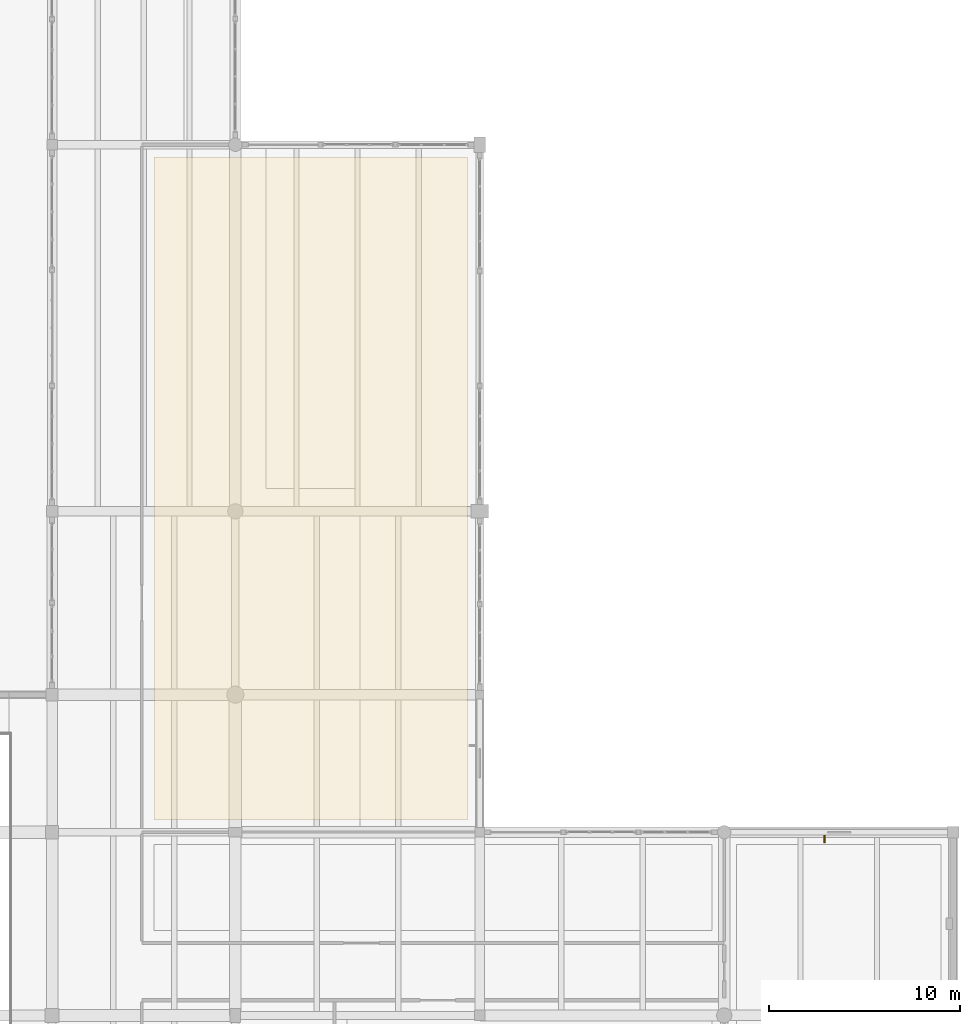
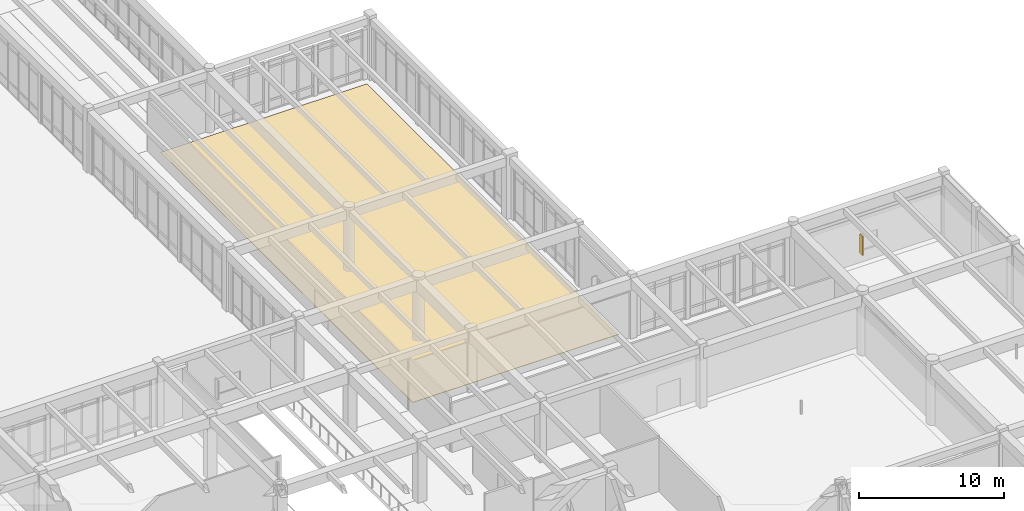
# One storey, part 138 of 138: 1 covering, 1 shading device.
"""IFC4 building model written with IfcOpenShell, lengths in metres."""

import ifcopenshell
import ifcopenshell.guid

model = None  # the IFC model being written
_history = None  # IfcOwnerHistory: only IFC2X3 demands one
_inside = {}  # id of a spatial element -> (the spatial element, [elements in it])
_under = {}  # id of a project, library or spatial element -> (it, [spatial elements below it])
_declared = {}  # id of a project -> (the project, [libraries it declares])
_typed = {}  # id of a type object -> (the type object, [elements of that type])
_made_of = {}  # id of a material, layer set ... -> (it, [elements and type objects made of it])


def new_model(schema):
    """Start an empty IFC model of exactly this schema.

    Asked for "IFC4X3", IfcOpenShell would pick the latest addendum, in which some entities
    have other attributes; the version numbers below select the first issue.
    IFC2X3 requires an IfcOwnerHistory on every rooted entity: one is made here for all.
    """
    global model, _history
    if schema == "IFC4X3":
        model = ifcopenshell.file(schema_version=(4, 3, 0, 0))
    else:
        model = ifcopenshell.file(schema=schema)
    _inside.clear()
    _under.clear()
    _declared.clear()
    _typed.clear()
    _made_of.clear()
    _history = None
    if model.schema == "IFC2X3":
        org = make("IfcOrganization", Name="unknown")
        user = make(
            "IfcPersonAndOrganization",
            ThePerson=make("IfcPerson", FamilyName="unknown"),
            TheOrganization=org,
        )
        app = make(
            "IfcApplication",
            ApplicationDeveloper=org,
            Version="unknown",
            ApplicationFullName="unknown",
            ApplicationIdentifier="unknown",
        )
        _history = make(
            "IfcOwnerHistory",
            OwningUser=user,
            OwningApplication=app,
            ChangeAction="ADDED",
            CreationDate=0,
        )
    return model


def make(cls, **values):
    """One entity of the class cls with the attributes given. An attribute that is None is left unset."""
    return model.create_entity(
        cls, **{name: value for name, value in values.items() if value is not None}
    )


def rooted(cls, **values):
    """An entity with a GlobalId (a new one), such as an element, a storey or a relation."""
    return make(cls, GlobalId=ifcopenshell.guid.new(), OwnerHistory=_history, **values)


def si_unit(unit_type, name, prefix=None):
    """IfcSIUnit, for example si_unit("LENGTHUNIT", "METRE", prefix="MILLI")."""
    return make("IfcSIUnit", UnitType=unit_type, Prefix=prefix, Name=name)


def assignment(units):
    """IfcUnitAssignment: the units of a project."""
    return None if units is None else make("IfcUnitAssignment", Units=units)


def point(xyz):
    """IfcCartesianPoint."""
    return None if xyz is None else make("IfcCartesianPoint", Coordinates=xyz)


def direction(xyz):
    """IfcDirection."""
    return None if xyz is None else make("IfcDirection", DirectionRatios=xyz)


def frame(location, z_axis=None, x_axis=None):
    """IfcAxis2Placement3D, a coordinate frame: its origin and axes. An axis left out is left unset."""
    return make(
        "IfcAxis2Placement3D",
        Location=point(location),
        Axis=direction(z_axis),
        RefDirection=direction(x_axis),
    )


def frame_2d(location, x_axis=None):
    """IfcAxis2Placement2D, a coordinate frame in the plane: its origin and x axis."""
    return make(
        "IfcAxis2Placement2D", Location=point(location), RefDirection=direction(x_axis)
    )


def origin():
    """The frame at (0, 0, 0) with its axes left unset."""
    return frame((0.0, 0.0, 0.0))


def origin_2d():
    """The frame at (0, 0) in the plane with its x axis left unset."""
    return frame_2d((0.0, 0.0))


def place(relative_to, where):
    """IfcLocalPlacement: puts the frame where relative to a parent placement (None: the world)."""
    return make(
        "IfcLocalPlacement", PlacementRelTo=relative_to, RelativePlacement=where
    )


def context(
    kind, dimensions, precision=None, world=None, true_north=None, identifier=None
):
    """IfcGeometricRepresentationContext, for example the 3D "Model" context."""
    return make(
        "IfcGeometricRepresentationContext",
        ContextIdentifier=identifier,
        ContextType=kind,
        CoordinateSpaceDimension=dimensions,
        Precision=precision,
        WorldCoordinateSystem=world,
        TrueNorth=true_north,
    )


def subcontext(parent, identifier, kind, view, scale=None):
    """IfcGeometricRepresentationSubContext, for example "Body" below "Model"."""
    return make(
        "IfcGeometricRepresentationSubContext",
        ContextIdentifier=identifier,
        ContextType=kind,
        ParentContext=parent,
        TargetScale=scale,
        TargetView=view,
    )


def project(units=None, contexts=None):
    """IfcProject with its units and contexts."""
    return rooted(
        "IfcProject",
        Name="project",
        RepresentationContexts=contexts,
        UnitsInContext=assignment(units),
    )


def spatial(cls, under=None, at=None, **own):
    """A site, building, storey or space (cls), placed at a placement, below another one or the project."""
    s = rooted(cls, ObjectPlacement=at, **own)
    if under is not None:
        _under.setdefault(under.id(), (under, []))[1].append(s)
    return s


def polyline(points):
    """IfcPolyline through the points."""
    return make("IfcPolyline", Points=[point(p) for p in points])


def profile(cls, at=None, kind="AREA", **sizes):
    """A parametric profile (cls). Its sizes go by their IFC names, for example OverallWidth=200.0."""
    return make(cls, ProfileType=kind, Position=at, **sizes)


def rectangle(**sizes):
    """IfcRectangleProfileDef."""
    return profile("IfcRectangleProfileDef", **sizes)


def outline(outer, holes=None, kind="AREA"):
    """IfcArbitraryClosedProfileDef: a profile drawn as a closed curve; with holes, ...WithVoids."""
    if holes is None:
        return make("IfcArbitraryClosedProfileDef", ProfileType=kind, OuterCurve=outer)
    return make(
        "IfcArbitraryProfileDefWithVoids",
        ProfileType=kind,
        OuterCurve=outer,
        InnerCurves=holes,
    )


def extrude(swept, where, along, depth):
    """IfcExtrudedAreaSolid: the profile swept, set in the frame where, extruded along a direction by depth."""
    return make(
        "IfcExtrudedAreaSolid",
        SweptArea=swept,
        Position=where,
        ExtrudedDirection=direction(along),
        Depth=depth,
    )


def shape(context_of_items, identifier, shape_type, items):
    """IfcShapeRepresentation: the items that make up one representation, for example the "Body"."""
    return make(
        "IfcShapeRepresentation",
        ContextOfItems=context_of_items,
        RepresentationIdentifier=identifier,
        RepresentationType=shape_type,
        Items=items,
    )


def material(Name=None, Category=None):
    """IfcMaterial."""
    return make("IfcMaterial", Name=Name, Category=Category)


def layer(
    of_material, thickness, ventilated=None, Name=None, Category=None, Priority=None
):
    """IfcMaterialLayer: one layer of a wall or slab, of a material (None: an air gap)."""
    return make(
        "IfcMaterialLayer",
        Material=of_material,
        LayerThickness=thickness,
        IsVentilated=ventilated,
        Name=Name,
        Category=Category,
        Priority=Priority,
    )


def layer_set(layers, Name=None):
    """IfcMaterialLayerSet."""
    return make("IfcMaterialLayerSet", MaterialLayers=layers, LayerSetName=Name)


def made_of(thing, what):
    """Note that an element or type object is made of a material, layer set ...; save() writes the relation."""
    if what is not None:
        _made_of.setdefault(what.id(), (what, []))[1].append(thing)
    return thing


def type_object(cls, material=None, **own):
    """A type object (cls), such as IfcWallType, which elements share."""
    return made_of(rooted(cls, **own), material)


def element(
    cls,
    number,
    at=None,
    inside=None,
    cuts=None,
    type_object=None,
    material=None,
    context=None,
    identifier="Body",
    shape_type=None,
    held_by="IfcProductDefinitionShape",
    body=None,
    shapes=None,
    **own,
):
    """One element of the class cls, such as IfcWall. Its Tag is "e" and its number.

    at: its placement. inside: the storey or other place that contains it. cuts: it is an
    opening in that element (IfcRelVoidsElement). A single representation is given by context,
    identifier, shape_type and body (its items); several are given by shapes. held_by: the class
    of the entity that holds the representations. save() writes the other relations.
    """
    e = rooted(cls, Tag="e%d" % number, ObjectPlacement=at, **own)
    if body is not None:
        shapes = [shape(context, identifier, shape_type, body)]
    if shapes is not None:
        e.Representation = make(held_by, Representations=shapes)
    if inside is not None:
        _inside.setdefault(inside.id(), (inside, []))[1].append(e)
    if cuts is not None:
        rooted(
            "IfcRelVoidsElement", RelatingBuildingElement=cuts, RelatedOpeningElement=e
        )
    if type_object is not None:
        _typed.setdefault(type_object.id(), (type_object, []))[1].append(e)
    return made_of(e, material)


def aggregate(whole, parts):
    """IfcRelAggregates: a whole, such as a stair, and the parts it consists of."""
    return rooted("IfcRelAggregates", RelatingObject=whole, RelatedObjects=parts)


def save(model, path):
    """Write the relations noted so far, then the file.

    IfcRelAggregates (storeys below a building ...), IfcRelContainedInSpatialStructure (elements
    in a storey), IfcRelDefinesByType, IfcRelAssociatesMaterial and IfcRelDeclares: one each for
    every whole, place, type object, material and project.
    """
    for whole, parts in _under.values():
        aggregate(whole, parts)
    for where, things in _inside.values():
        rooted(
            "IfcRelContainedInSpatialStructure",
            RelatedElements=things,
            RelatingStructure=where,
        )
    for kind, things in _typed.values():
        rooted("IfcRelDefinesByType", RelatedObjects=things, RelatingType=kind)
    for what, things in _made_of.values():
        rooted("IfcRelAssociatesMaterial", RelatedObjects=things, RelatingMaterial=what)
    for by, libraries in _declared.values():
        rooted("IfcRelDeclares", RelatingContext=by, RelatedDefinitions=libraries)
    model.write(path)


model = new_model("IFC4")

# Units and contexts
model_context = context("Model", 3, precision=1e-05, world=origin(), true_north=direction((0.0, 1.0)))
body_context = subcontext(model_context, "Body", "Model", "MODEL_VIEW")
ifc_project = project(units=[si_unit("LENGTHUNIT", "METRE"), si_unit("AREAUNIT", "SQUARE_METRE"), si_unit("VOLUMEUNIT", "CUBIC_METRE"), si_unit("PLANEANGLEUNIT", "RADIAN"), si_unit("MASSUNIT", "GRAM", prefix="KILO")], contexts=[model_context])

# Site, building, storey
site_placement = place(None, origin())
site = spatial("IfcSite", under=ifc_project, at=site_placement, CompositionType="ELEMENT")
building_placement = place(site_placement, origin())
building = spatial("IfcBuilding", under=site, at=building_placement, Name="Fikremerkos Civic Library", CompositionType="ELEMENT")
storey_placement = place(building_placement, origin())
storey = spatial("IfcBuildingStorey", under=building, at=storey_placement, Name="L00", CompositionType="ELEMENT", Elevation=0.0)

# Shading device
ifc_material_1 = material(Name="Bronze anodized aluminium", Category="aluminium")
shading_device_type = type_object("IfcShadingDeviceType", Name="Perforated bronze vertical solar fin SHD-02", PredefinedType="USERDEFINED", material=ifc_material_1)
shading_device_placement = place(storey_placement, frame((165.2451171875, 40.43994140625, 0.824951171875), z_axis=(0.0, 0.0, 1.0), x_axis=(1.0, 0.0, 0.0)))
element("IfcShadingDevice", 1, at=shading_device_placement, inside=storey, type_object=shading_device_type, Name="Vertical bronze solar fin SHD-02 L00 #11", ObjectType="SOLAR FIN", PredefinedType="USERDEFINED", context=body_context, shape_type="SweptSolid", body=[
    extrude(rectangle(XDim=0.080078125, YDim=0.39990234375, at=origin_2d()), origin(), (0.0, 0.0, 1.0), 1.60009765625),
])

# Covering
ifc_material_2 = material(Name="Polished basalt terrazzo", Category="masonry")
ifc_layer = layer(ifc_material_2, 0.030029296875, Name="Polished basalt terrazzo")
ifc_layer_set = layer_set([ifc_layer], Name="Polished basalt terrazzo")
covering_type = type_object("IfcCoveringType", Name="Polished basalt terrazzo flooring FLR-01", PredefinedType="FLOORING", material=ifc_layer_set)
covering_placement = place(storey_placement, origin())
element("IfcCovering", 2, at=covering_placement, inside=storey, type_object=covering_type, Name="Terrazzo floor finish Cultural Exhibition Gallery", PredefinedType="FLOORING", context=body_context, shape_type="SweptSolid", body=[
    extrude(outline(polyline([(130.14990234375, 76.14990234375), (146.550048828125, 76.14990234375), (146.550048828125, 41.449951171875), (130.14990234375, 41.449951171875), (130.14990234375, 76.14990234375)])), origin(), (0.0, 0.0, 1.0), 0.030029296875),
])

save(model, "model.ifc")
